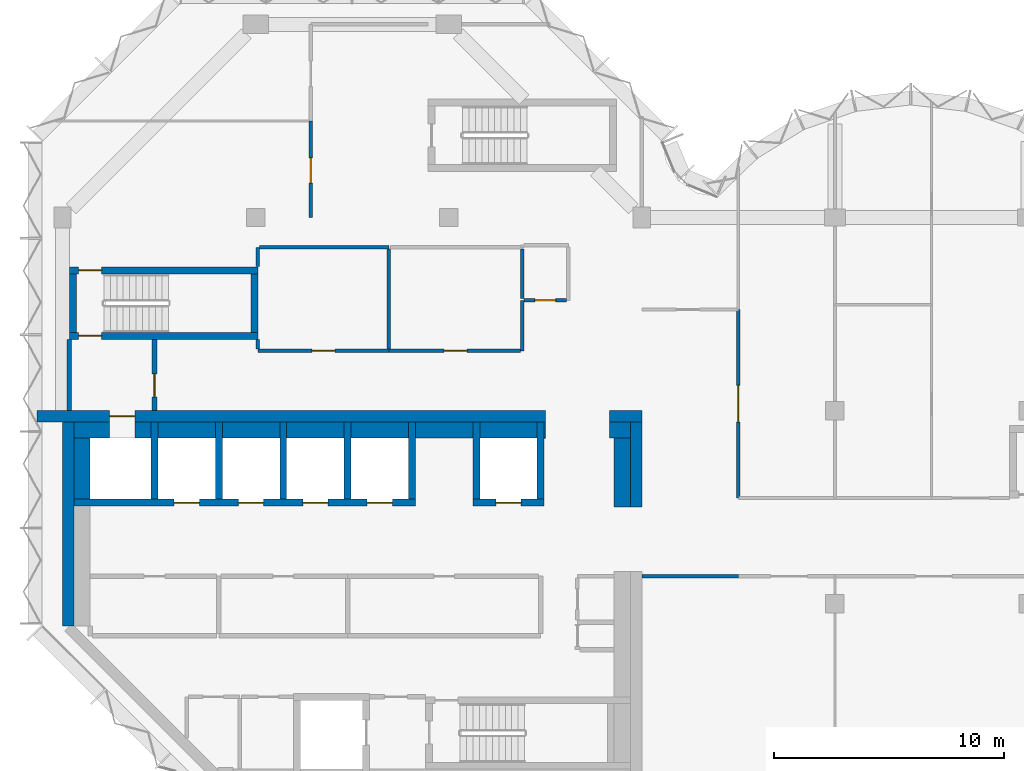
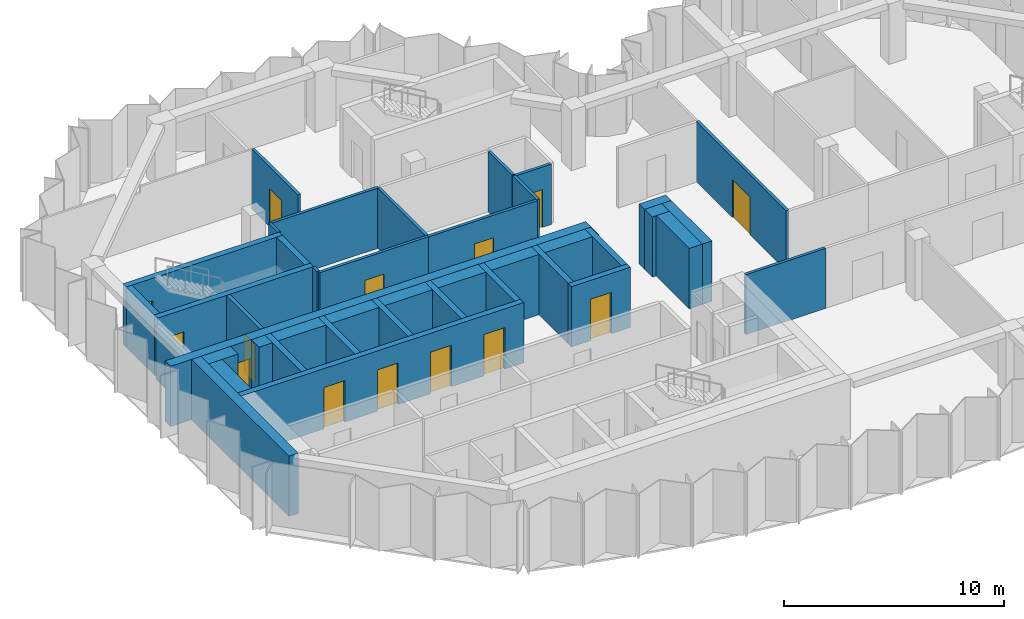
# One storey, part 5 of 10: 43 walls, 14 doors, 14 openings.
"""IFC4 building model written with IfcOpenShell, lengths in metres."""

from ifc_helpers import new_model, si_unit, direction, frame, frame_2d, origin, place, context, subcontext, project, spatial, rectangle, extrude, material, layer, layer_set, type_object, element, fill, save


model = new_model("IFC4")

# Units and contexts
model_context = context("Model", 3, precision=1e-05, world=origin(), true_north=direction((0.0, 1.0)))
body_context = subcontext(model_context, "Body", "Model", "MODEL_VIEW")
ifc_project = project(units=[si_unit("LENGTHUNIT", "METRE"), si_unit("AREAUNIT", "SQUARE_METRE"), si_unit("VOLUMEUNIT", "CUBIC_METRE"), si_unit("PLANEANGLEUNIT", "RADIAN"), si_unit("MASSUNIT", "GRAM", prefix="KILO")], contexts=[model_context])

# Site, building, storey
site_placement = place(None, origin())
site = spatial("IfcSite", under=ifc_project, at=site_placement, CompositionType="ELEMENT")
building_placement = place(site_placement, origin())
building = spatial("IfcBuilding", under=site, at=building_placement, Name="Brevane Broadcast Tower", CompositionType="ELEMENT")
storey_placement = place(building_placement, frame((0.0, 0.0, 237.300048828125)))
storey = spatial("IfcBuildingStorey", under=building, at=storey_placement, Name="L60", CompositionType="ELEMENT", Elevation=237.300048828125)

# Walls
ifc_material_1 = material(Name="Concrete C32/40", Category="concrete")
ifc_layer_1 = layer(ifc_material_1, 0.699951171875)
ifc_layer_set_1 = layer_set([ifc_layer_1], Name="Core chase wall 700 mm")
wall_type_1 = type_object("IfcWallType", Name="Core chase wall 700 mm", PredefinedType="PARTITIONING", material=ifc_layer_set_1)
wall_1_placement = place(storey_placement, frame((24.35009765625, 12.60009765625, 0.0), z_axis=(0.0, 0.0, 1.0), x_axis=(0.0, 1.0, 0.0)))
element("IfcWall", 1, at=wall_1_placement, inside=storey, type_object=wall_type_1, Name="L60 chase wall LE2", PredefinedType="PARTITIONING", context=body_context, shape_type="SweptSolid", body=[
    extrude(rectangle(XDim=3.0, YDim=0.699951171875, at=frame_2d((1.5, 0.0))), origin(), (0.0, 0.0, 1.0), 3.349853515625),
])
wall_2_placement = place(storey_placement, frame((0.5, 15.949951171875, 0.0), z_axis=(0.0, 0.0, 1.0), x_axis=(1.0, 0.0, 0.0)))
element("IfcWall", 2, at=wall_2_placement, inside=storey, type_object=wall_type_1, Name="L60 chase wall LN0", PredefinedType="PARTITIONING", context=body_context, shape_type="SweptSolid", body=[
    extrude(rectangle(XDim=1.550048828125, YDim=0.699951171875, at=frame_2d((0.77490234375, 0.0))), origin(), (0.0, 0.0, 1.0), 3.349853515625),
])
wall_3_placement = place(storey_placement, frame((23.800048828125, 15.949951171875, 0.0), z_axis=(0.0, 0.0, 1.0), x_axis=(1.0, 0.0, 0.0)))
element("IfcWall", 3, at=wall_3_placement, inside=storey, type_object=wall_type_1, Name="L60 chase wall LN2", PredefinedType="PARTITIONING", context=body_context, shape_type="SweptSolid", body=[
    extrude(rectangle(XDim=0.89990234375, YDim=0.699951171875, at=frame_2d((0.449951171875, 0.0))), origin(), (0.0, 0.0, 1.0), 3.349853515625),
])
wall_4_placement = place(storey_placement, frame((0.85009765625, 12.949951171875, 0.0), z_axis=(0.0, 0.0, 1.0), x_axis=(0.0, 1.0, 0.0)))
element("IfcWall", 4, at=wall_4_placement, inside=storey, type_object=wall_type_1, Name="L60 chase wall LW-2", PredefinedType="PARTITIONING", context=body_context, shape_type="SweptSolid", body=[
    extrude(rectangle(XDim=2.650146484375, YDim=0.699951171875, at=frame_2d((1.3251953125, 0.0))), origin(), (0.0, 0.0, 1.0), 3.349853515625),
])
wall_5_placement = place(storey_placement, frame((3.14990234375, 15.949951171875, 0.0), z_axis=(0.0, 0.0, 1.0), x_axis=(1.0, 0.0, 0.0)))
element("IfcWall", 5, at=wall_5_placement, inside=storey, type_object=wall_type_1, Name="L60 chase wall LN1-1", PredefinedType="PARTITIONING", context=body_context, shape_type="SweptSolid", body=[
    extrude(rectangle(XDim=0.7001953125, YDim=0.699951171875, at=frame_2d((0.35009765625, 0.0))), origin(), (0.0, 0.0, 1.0), 3.349853515625),
])
for number, where, z_axis, x_axis, name in (
    (6, (4.14990234375, 15.949951171875, 0.0), (0.0, 0.0, 1.0), (1.0, 0.0, 0.0), "L60 chase wall LN1-2-1"),
    (7, (6.949951171875, 15.949951171875, 0.0), (0.0, 0.0, 1.0), (1.0, 0.0, 0.0), "L60 chase wall LN1-2-2-1"),
    (8, (9.75, 15.949951171875, 0.0), (0.0, 0.0, 1.0), (1.0, 0.0, 0.0), "L60 chase wall LN1-2-2-2-1"),
    (9, (12.550048828125, 15.949951171875, 0.0), (0.0, 0.0, 1.0), (1.0, 0.0, 0.0), "L60 chase wall LN1-2-2-2-2-1"),
    (10, (15.35009765625, 15.949951171875, 0.0), (0.0, 0.0, 1.0), (1.0, 0.0, 0.0), "L60 chase wall LN1-2-2-2-2-2-1"),
    (11, (18.14990234375, 15.949951171875, 0.0), (0.0, 0.0, 1.0), (1.0, 0.0, 0.0), "L60 chase wall LN1-2-2-2-2-2-2-1"),
):
    element("IfcWall", number, at=place(storey_placement, frame(where, z_axis=z_axis, x_axis=x_axis)), inside=storey, type_object=wall_type_1, Name=name, PredefinedType="PARTITIONING", context=body_context, shape_type="SweptSolid", body=[
        extrude(rectangle(XDim=2.5, YDim=0.699951171875, at=frame_2d((1.25, 0.0))), origin(), (0.0, 0.0, 1.0), 3.349853515625),
    ])
wall_6_placement = place(storey_placement, frame((20.949951171875, 15.949951171875, 0.0), z_axis=(0.0, 0.0, 1.0), x_axis=(1.0, 0.0, 0.0)))
element("IfcWall", 12, at=wall_6_placement, inside=storey, type_object=wall_type_1, Name="L60 chase wall LN1-2-2-2-2-2-2-2", PredefinedType="PARTITIONING", context=body_context, shape_type="SweptSolid", body=[
    extrude(rectangle(XDim=0.050048828125, YDim=0.699951171875, at=frame_2d((0.02490234375, 0.0))), origin(), (0.0, 0.0, 1.0), 3.349853515625),
])

# Wall, opening, door
ifc_material_2 = material(Name="Gypsum board on steel studs", Category="steel")
ifc_layer_2 = layer(ifc_material_2, 0.14990234375)
ifc_layer_set_2 = layer_set([ifc_layer_2], Name="Core fire partition 150 mm")
wall_type_2 = type_object("IfcWallType", Name="Core fire partition 150 mm", PredefinedType="PARTITIONING", material=ifc_layer_set_2)
wall_7_placement = place(storey_placement, frame((14.199951171875, 19.39990234375, 0.0), z_axis=(0.0, 0.0, 1.0), x_axis=(-1.0, 0.0, 0.0)))
wall_7 = element("IfcWall", 13, at=wall_7_placement, inside=storey, type_object=wall_type_2, Name="L60 partition wall P22", PredefinedType="PARTITIONING", context=body_context, shape_type="SweptSolid", body=[
    extrude(rectangle(XDim=5.699951171875, YDim=0.14990234375, at=frame_2d((2.85009765625, 0.0))), origin(), (0.0, 0.0, 1.0), 3.349853515625),
])
opening_1_placement = place(wall_7_placement, frame((2.35009765625, 0.0, 0.0)))
opening_1 = element("IfcOpeningElement", 14, at=opening_1_placement, cuts=wall_7, Name="Opening L60-K24", PredefinedType="OPENING", context=body_context, shape_type="SweptSolid", body=[
    extrude(rectangle(XDim=1.0, YDim=2.10009765625, at=frame_2d((0.5, 1.050048828125))), frame((0.0, 0.0849609375, 0.0), z_axis=(0.0, -1.0, 0.0), x_axis=(1.0, 0.0, 0.0)), (0.0, 0.0, 1.0), 0.169921875),
])
ifc_material_3 = material(Name="Steel", Category="steel")
door_type_1 = type_object("IfcDoorType", Name="Service room door 1000 x 2100", OperationType="SINGLE_SWING_LEFT", PredefinedType="DOOR", material=ifc_material_3)
door_1_placement = place(opening_1_placement, origin())
door_1 = element("IfcDoor", 15, at=door_1_placement, inside=storey, type_object=door_type_1, Name="Door L60-K24", OperationType="SINGLE_SWING_LEFT", OverallHeight=2.10009765625, OverallWidth=1.0, PredefinedType="DOOR", context=body_context, shape_type="SweptSolid", body=[
    extrude(rectangle(XDim=1.0, YDim=2.10009765625, at=frame_2d((0.5, 1.050048828125))), frame((0.0, 0.02490234375, 0.0), z_axis=(0.0, -1.0, 0.0), x_axis=(1.0, 0.0, 0.0)), (0.0, 0.0, 1.0), 0.050048828125),
])
fill(opening_1, door_1)

# Walls
wall_8_placement = place(storey_placement, frame((8.5, 19.47509765625, 0.0), z_axis=(0.0, 0.0, 1.0), x_axis=(0.0, 1.0, 0.0)))
element("IfcWall", 16, at=wall_8_placement, inside=storey, type_object=wall_type_2, Name="L60 partition wall P23", PredefinedType="PARTITIONING", context=body_context, shape_type="SweptSolid", body=[
    extrude(rectangle(XDim=0.412841796875, YDim=0.14990234375, at=frame_2d((0.20654296875, 0.0))), origin(), (0.0, 0.0, 1.0), 3.349853515625),
])
wall_9_placement = place(storey_placement, frame((8.5, 23.06201171875, 0.0), z_axis=(0.0, 0.0, 1.0), x_axis=(0.0, 1.0, 0.0)))
element("IfcWall", 17, at=wall_9_placement, inside=storey, type_object=wall_type_2, Name="L60 partition wall P24", PredefinedType="PARTITIONING", context=body_context, shape_type="SweptSolid", body=[
    extrude(rectangle(XDim=0.837890625, YDim=0.14990234375, at=frame_2d((0.4189453125, 0.0))), origin(), (0.0, 0.0, 1.0), 3.349853515625),
])
wall_10_placement = place(storey_placement, frame((8.574951171875, 23.89990234375, 0.0), z_axis=(0.0, 0.0, 1.0), x_axis=(1.0, 0.0, 0.0)))
element("IfcWall", 18, at=wall_10_placement, inside=storey, type_object=wall_type_2, Name="L60 partition wall P25", PredefinedType="PARTITIONING", context=body_context, shape_type="SweptSolid", body=[
    extrude(rectangle(XDim=5.625, YDim=0.14990234375, at=frame_2d((2.8125, 0.0))), origin(), (0.0, 0.0, 1.0), 3.349853515625),
])
wall_11_placement = place(storey_placement, frame((20.0, 21.60009765625, 0.0), z_axis=(0.0, 0.0, 1.0), x_axis=(0.0, -1.0, 0.0)))
element("IfcWall", 19, at=wall_11_placement, inside=storey, type_object=wall_type_2, Name="L60 partition wall P26", PredefinedType="PARTITIONING", context=body_context, shape_type="SweptSolid", body=[
    extrude(rectangle(XDim=2.2001953125, YDim=0.14990234375, at=frame_2d((1.10009765625, 0.0))), origin(), (0.0, 0.0, 1.0), 3.349853515625),
])

# Wall, opening, door
wall_12_placement = place(storey_placement, frame((19.925048828125, 19.39990234375, 0.0), z_axis=(0.0, 0.0, 1.0), x_axis=(-1.0, 0.0, 0.0)))
wall_12 = element("IfcWall", 20, at=wall_12_placement, inside=storey, type_object=wall_type_2, Name="L60 partition wall P27", PredefinedType="PARTITIONING", context=body_context, shape_type="SweptSolid", body=[
    extrude(rectangle(XDim=5.72509765625, YDim=0.14990234375, at=frame_2d((2.862548828125, 0.0))), origin(), (0.0, 0.0, 1.0), 3.349853515625),
])
opening_2_placement = place(wall_12_placement, frame((2.324951171875, 0.0, 0.0)))
opening_2 = element("IfcOpeningElement", 21, at=opening_2_placement, cuts=wall_12, Name="Opening L60-K25", PredefinedType="OPENING", context=body_context, shape_type="SweptSolid", body=[
    extrude(rectangle(XDim=1.0, YDim=2.10009765625, at=frame_2d((0.5, 1.050048828125))), frame((0.0, 0.0849609375, 0.0), z_axis=(0.0, -1.0, 0.0), x_axis=(1.0, 0.0, 0.0)), (0.0, 0.0, 1.0), 0.169921875),
])
door_2_placement = place(opening_2_placement, origin())
door_2 = element("IfcDoor", 22, at=door_2_placement, inside=storey, type_object=door_type_1, Name="Door L60-K25", OperationType="SINGLE_SWING_RIGHT", OverallHeight=2.10009765625, OverallWidth=1.0, PredefinedType="DOOR", context=body_context, shape_type="SweptSolid", body=[
    extrude(rectangle(XDim=1.0, YDim=2.10009765625, at=frame_2d((0.5, 1.050048828125))), frame((0.0, 0.02490234375, 0.0), z_axis=(0.0, -1.0, 0.0), x_axis=(1.0, 0.0, 0.0)), (0.0, 0.0, 1.0), 0.050048828125),
])
fill(opening_2, door_2)

# Wall
wall_13_placement = place(storey_placement, frame((14.199951171875, 23.824951171875, 0.0), z_axis=(0.0, 0.0, 1.0), x_axis=(0.0, -1.0, 0.0)))
element("IfcWall", 23, at=wall_13_placement, inside=storey, type_object=wall_type_2, Name="L60 partition wall P28", PredefinedType="PARTITIONING", context=body_context, shape_type="SweptSolid", body=[
    extrude(rectangle(XDim=4.349853515625, YDim=0.14990234375, at=frame_2d((2.1748046875, 0.0))), origin(), (0.0, 0.0, 1.0), 3.349853515625),
])

# Wall, opening, door
wall_14_placement = place(storey_placement, frame((21.925048828125, 21.60009765625, 0.0), z_axis=(0.0, 0.0, 1.0), x_axis=(-1.0, 0.0, 0.0)))
wall_14 = element("IfcWall", 24, at=wall_14_placement, inside=storey, type_object=wall_type_2, Name="L60 partition wall P33", PredefinedType="PARTITIONING", context=body_context, shape_type="SweptSolid", body=[
    extrude(rectangle(XDim=1.85009765625, YDim=0.14990234375, at=frame_2d((0.925048828125, 0.0))), origin(), (0.0, 0.0, 1.0), 3.349853515625),
])
opening_3_placement = place(wall_14_placement, frame((0.47509765625, 0.0, 0.0)))
opening_3 = element("IfcOpeningElement", 25, at=opening_3_placement, cuts=wall_14, Name="Opening L60-K23", PredefinedType="OPENING", context=body_context, shape_type="SweptSolid", body=[
    extrude(rectangle(XDim=0.89990234375, YDim=2.10009765625, at=frame_2d((0.449951171875, 1.050048828125))), frame((0.0, 0.0849609375, 0.0), z_axis=(0.0, -1.0, 0.0), x_axis=(1.0, 0.0, 0.0)), (0.0, 0.0, 1.0), 0.169921875),
])
ifc_material_4 = material(Name="Timber", Category="wood")
door_type_2 = type_object("IfcDoorType", Name="Toilet door 900 x 2100", OperationType="SINGLE_SWING_LEFT", PredefinedType="DOOR", material=ifc_material_4)
door_3_placement = place(opening_3_placement, origin())
door_3 = element("IfcDoor", 26, at=door_3_placement, inside=storey, type_object=door_type_2, Name="Door L60-K23", OperationType="SINGLE_SWING_RIGHT", OverallHeight=2.10009765625, OverallWidth=0.89990234375, PredefinedType="DOOR", context=body_context, shape_type="SweptSolid", body=[
    extrude(rectangle(XDim=0.89990234375, YDim=2.10009765625, at=frame_2d((0.449951171875, 1.050048828125))), frame((0.0, 0.02490234375, 0.0), z_axis=(0.0, -1.0, 0.0), x_axis=(1.0, 0.0, 0.0)), (0.0, 0.0, 1.0), 0.050048828125),
])
fill(opening_3, door_3)

# Walls
wall_15_placement = place(storey_placement, frame((20.0, 21.675048828125, 0.0), z_axis=(0.0, 0.0, 1.0), x_axis=(0.0, 1.0, 0.0)))
element("IfcWall", 27, at=wall_15_placement, inside=storey, type_object=wall_type_2, Name="L60 partition wall P34", PredefinedType="PARTITIONING", context=body_context, shape_type="SweptSolid", body=[
    extrude(rectangle(XDim=2.14990234375, YDim=0.14990234375, at=frame_2d((1.074951171875, 0.0))), origin(), (0.0, 0.0, 1.0), 3.349853515625),
])
ifc_layer_3 = layer(ifc_material_2, 0.199951171875)
ifc_layer_set_3 = layer_set([ifc_layer_3], Name="Core fire partition 200 mm")
wall_type_3 = type_object("IfcWallType", Name="Core fire partition 200 mm", PredefinedType="PARTITIONING", material=ifc_layer_set_3)
wall_16_placement = place(storey_placement, frame((0.300048828125, 16.81201171875, 0.0), z_axis=(0.0, 0.0, 1.0), x_axis=(0.0, 1.0, 0.0)))
element("IfcWall", 28, at=wall_16_placement, inside=storey, type_object=wall_type_3, Name="L60 partition wall P01", PredefinedType="PARTITIONING", context=body_context, shape_type="SweptSolid", body=[
    extrude(rectangle(XDim=3.075927734375, YDim=0.199951171875, at=frame_2d((1.5380859375, 0.0))), origin(), (0.0, 0.0, 1.0), 2.97998046875),
])

# Wall, opening, door
wall_17_placement = place(storey_placement, frame((4.0, 19.887939453125, 0.0), z_axis=(0.0, 0.0, 1.0), x_axis=(0.0, -1.0, 0.0)))
wall_17 = element("IfcWall", 29, at=wall_17_placement, inside=storey, type_object=wall_type_3, Name="L60 partition wall P02", PredefinedType="PARTITIONING", context=body_context, shape_type="SweptSolid", body=[
    extrude(rectangle(XDim=3.075927734375, YDim=0.199951171875, at=frame_2d((1.5380859375, 0.0))), origin(), (0.0, 0.0, 1.0), 3.349853515625),
])
opening_4_placement = place(wall_17_placement, frame((1.488037109375, 0.0, 0.0)))
opening_4 = element("IfcOpeningElement", 30, at=opening_4_placement, cuts=wall_17, Name="Opening L60-K22", PredefinedType="OPENING", context=body_context, shape_type="SweptSolid", body=[
    extrude(rectangle(XDim=1.0, YDim=2.10009765625, at=frame_2d((0.5, 1.050048828125))), frame((0.0, 0.10986328125, 0.0), z_axis=(0.0, -1.0, 0.0), x_axis=(1.0, 0.0, 0.0)), (0.0, 0.0, 1.0), 0.219970703125),
])
door_type_3 = type_object("IfcDoorType", Name="Stair door 1000 x 2100", OperationType="SINGLE_SWING_LEFT", PredefinedType="DOOR", material=ifc_material_3)
door_4_placement = place(opening_4_placement, origin())
door_4 = element("IfcDoor", 31, at=door_4_placement, inside=storey, type_object=door_type_3, Name="Door L60-K22", OperationType="SINGLE_SWING_LEFT", OverallHeight=2.10009765625, OverallWidth=1.0, PredefinedType="DOOR", context=body_context, shape_type="SweptSolid", body=[
    extrude(rectangle(XDim=1.0, YDim=2.10009765625, at=frame_2d((0.5, 1.050048828125))), frame((0.0, 0.02490234375, 0.0), z_axis=(0.0, -1.0, 0.0), x_axis=(1.0, 0.0, 0.0)), (0.0, 0.0, 1.0), 0.050048828125),
])
fill(opening_4, door_4)

# Wall, openings, doors
ifc_material_5 = material(Name="Concrete C50/60", Category="concrete")
ifc_layer_4 = layer(ifc_material_5, 0.300048828125)
ifc_layer_set_4 = layer_set([ifc_layer_4], Name="Core wall 300 mm C50/60")
wall_type_4 = type_object("IfcWallType", Name="Core wall 300 mm C50/60", PredefinedType="SHEAR", material=ifc_layer_set_4)
wall_18_placement = place(storey_placement, frame((0.5, 12.800048828125, 0.0), z_axis=(0.0, 0.0, 1.0), x_axis=(1.0, 0.0, 0.0)))
wall_18 = element("IfcWall", 32, at=wall_18_placement, inside=storey, type_object=wall_type_4, Name="L60 shaft wall SH-N012-front", PredefinedType="SHEAR", context=body_context, shape_type="SweptSolid", body=[
    extrude(rectangle(XDim=14.85009765625, YDim=0.300048828125, at=frame_2d((7.425048828125, 0.0))), origin(), (0.0, 0.0, 1.0), 3.349853515625),
])
opening_5_placement = place(wall_18_placement, frame((4.35009765625, 0.0, 0.0)))
opening_5 = element("IfcOpeningElement", 33, at=opening_5_placement, cuts=wall_18, Name="Opening LD", PredefinedType="OPENING", context=body_context, shape_type="SweptSolid", body=[
    extrude(rectangle(XDim=1.10009765625, YDim=2.300048828125, at=frame_2d((0.550048828125, 1.14990234375))), frame((0.0, 0.159912109375, 0.0), z_axis=(0.0, -1.0, 0.0), x_axis=(1.0, 0.0, 0.0)), (0.0, 0.0, 1.0), 0.320068359375),
])
opening_6_placement = place(wall_18_placement, frame((7.14990234375, 0.0, 0.0)))
opening_6 = element("IfcOpeningElement", 34, at=opening_6_placement, cuts=wall_18, Name="Opening LD", PredefinedType="OPENING", context=body_context, shape_type="SweptSolid", body=[
    extrude(rectangle(XDim=1.10009765625, YDim=2.300048828125, at=frame_2d((0.550048828125, 1.14990234375))), frame((0.0, 0.159912109375, 0.0), z_axis=(0.0, -1.0, 0.0), x_axis=(1.0, 0.0, 0.0)), (0.0, 0.0, 1.0), 0.320068359375),
])
opening_7_placement = place(wall_18_placement, frame((9.949951171875, 0.0, 0.0)))
opening_7 = element("IfcOpeningElement", 35, at=opening_7_placement, cuts=wall_18, Name="Opening LD", PredefinedType="OPENING", context=body_context, shape_type="SweptSolid", body=[
    extrude(rectangle(XDim=1.10009765625, YDim=2.300048828125, at=frame_2d((0.550048828125, 1.14990234375))), frame((0.0, 0.159912109375, 0.0), z_axis=(0.0, -1.0, 0.0), x_axis=(1.0, 0.0, 0.0)), (0.0, 0.0, 1.0), 0.320068359375),
])
opening_8_placement = place(wall_18_placement, frame((12.75, 0.0, 0.0)))
opening_8 = element("IfcOpeningElement", 36, at=opening_8_placement, cuts=wall_18, Name="Opening LD", PredefinedType="OPENING", context=body_context, shape_type="SweptSolid", body=[
    extrude(rectangle(XDim=1.10009765625, YDim=2.300048828125, at=frame_2d((0.550048828125, 1.14990234375))), frame((0.0, 0.159912109375, 0.0), z_axis=(0.0, -1.0, 0.0), x_axis=(1.0, 0.0, 0.0)), (0.0, 0.0, 1.0), 0.320068359375),
])
ifc_material_6 = material(Name="Stainless steel", Category="steel")
door_type_4 = type_object("IfcDoorType", Name="Lift landing door", OperationType="SLIDING_TO_LEFT", PredefinedType="DOOR", material=ifc_material_6)
door_5_placement = place(opening_5_placement, origin())
door_5 = element("IfcDoor", 37, at=door_5_placement, inside=storey, type_object=door_type_4, Name="Landing door HR1 L60", OperationType="SLIDING_TO_LEFT", OverallHeight=2.300048828125, OverallWidth=1.10009765625, PredefinedType="DOOR", context=body_context, shape_type="SweptSolid", body=[
    extrude(rectangle(XDim=1.10009765625, YDim=2.300048828125, at=frame_2d((0.550048828125, 1.14990234375))), frame((0.0, 0.02490234375, 0.0), z_axis=(0.0, -1.0, 0.0), x_axis=(1.0, 0.0, 0.0)), (0.0, 0.0, 1.0), 0.050048828125),
])
fill(opening_5, door_5)
door_6_placement = place(opening_6_placement, origin())
door_6 = element("IfcDoor", 38, at=door_6_placement, inside=storey, type_object=door_type_4, Name="Landing door HR2 L60", OperationType="SLIDING_TO_LEFT", OverallHeight=2.300048828125, OverallWidth=1.10009765625, PredefinedType="DOOR", context=body_context, shape_type="SweptSolid", body=[
    extrude(rectangle(XDim=1.10009765625, YDim=2.300048828125, at=frame_2d((0.550048828125, 1.14990234375))), frame((0.0, 0.02490234375, 0.0), z_axis=(0.0, -1.0, 0.0), x_axis=(1.0, 0.0, 0.0)), (0.0, 0.0, 1.0), 0.050048828125),
])
fill(opening_6, door_6)
door_7_placement = place(opening_7_placement, origin())
door_7 = element("IfcDoor", 39, at=door_7_placement, inside=storey, type_object=door_type_4, Name="Landing door HR3 L60", OperationType="SLIDING_TO_LEFT", OverallHeight=2.300048828125, OverallWidth=1.10009765625, PredefinedType="DOOR", context=body_context, shape_type="SweptSolid", body=[
    extrude(rectangle(XDim=1.10009765625, YDim=2.300048828125, at=frame_2d((0.550048828125, 1.14990234375))), frame((0.0, 0.02490234375, 0.0), z_axis=(0.0, -1.0, 0.0), x_axis=(1.0, 0.0, 0.0)), (0.0, 0.0, 1.0), 0.050048828125),
])
fill(opening_7, door_7)
door_8_placement = place(opening_8_placement, origin())
door_8 = element("IfcDoor", 40, at=door_8_placement, inside=storey, type_object=door_type_4, Name="Landing door HR4 L60", OperationType="SLIDING_TO_LEFT", OverallHeight=2.300048828125, OverallWidth=1.10009765625, PredefinedType="DOOR", context=body_context, shape_type="SweptSolid", body=[
    extrude(rectangle(XDim=1.10009765625, YDim=2.300048828125, at=frame_2d((0.550048828125, 1.14990234375))), frame((0.0, 0.02490234375, 0.0), z_axis=(0.0, -1.0, 0.0), x_axis=(1.0, 0.0, 0.0)), (0.0, 0.0, 1.0), 0.050048828125),
])
fill(opening_8, door_8)

# Walls
for number, where, z_axis, x_axis, name in (
    (41, (4.0, 12.949951171875, 0.0), (0.0, 0.0, 1.0), (0.0, 1.0, 0.0), "L60 shaft wall SH-N-P040"),
    (42, (6.800048828125, 12.949951171875, 0.0), (0.0, 0.0, 1.0), (0.0, 1.0, 0.0), "L60 shaft wall SH-N-P068"),
    (43, (9.60009765625, 12.949951171875, 0.0), (0.0, 0.0, 1.0), (0.0, 1.0, 0.0), "L60 shaft wall SH-N-P096"),
    (44, (12.39990234375, 12.949951171875, 0.0), (0.0, 0.0, 1.0), (0.0, 1.0, 0.0), "L60 shaft wall SH-N-P124"),
    (45, (15.199951171875, 12.949951171875, 0.0), (0.0, 0.0, 1.0), (0.0, 1.0, 0.0), "L60 shaft wall SH-N-P152"),
):
    element("IfcWall", number, at=place(storey_placement, frame(where, z_axis=z_axis, x_axis=x_axis)), inside=storey, type_object=wall_type_4, Name=name, PredefinedType="SHEAR", context=body_context, shape_type="SweptSolid", body=[
        extrude(rectangle(XDim=3.35009765625, YDim=0.300048828125, at=frame_2d((1.675048828125, 0.0))), origin(), (0.0, 0.0, 1.0), 3.349853515625),
    ])

# Wall, opening, door
wall_19_placement = place(storey_placement, frame((17.85009765625, 12.800048828125, 0.0), z_axis=(0.0, 0.0, 1.0), x_axis=(1.0, 0.0, 0.0)))
wall_19 = element("IfcWall", 46, at=wall_19_placement, inside=storey, type_object=wall_type_4, Name="L60 shaft wall SH-N180-front", PredefinedType="SHEAR", context=body_context, shape_type="SweptSolid", body=[
    extrude(rectangle(XDim=3.099853515625, YDim=0.300048828125, at=frame_2d((1.5498046875, 0.0))), origin(), (0.0, 0.0, 1.0), 3.349853515625),
])
opening_9_placement = place(wall_19_placement, frame((1.0, 0.0, 0.0)))
opening_9 = element("IfcOpeningElement", 47, at=opening_9_placement, cuts=wall_19, Name="Opening LD", PredefinedType="OPENING", context=body_context, shape_type="SweptSolid", body=[
    extrude(rectangle(XDim=1.10009765625, YDim=2.300048828125, at=frame_2d((0.550048828125, 1.14990234375))), frame((0.0, 0.159912109375, 0.0), z_axis=(0.0, -1.0, 0.0), x_axis=(1.0, 0.0, 0.0)), (0.0, 0.0, 1.0), 0.320068359375),
])
door_9_placement = place(opening_9_placement, origin())
door_9 = element("IfcDoor", 48, at=door_9_placement, inside=storey, type_object=door_type_4, Name="Landing door SL1 L60", OperationType="SLIDING_TO_LEFT", OverallHeight=2.300048828125, OverallWidth=1.10009765625, PredefinedType="DOOR", context=body_context, shape_type="SweptSolid", body=[
    extrude(rectangle(XDim=1.10009765625, YDim=2.300048828125, at=frame_2d((0.550048828125, 1.14990234375))), frame((0.0, 0.02490234375, 0.0), z_axis=(0.0, -1.0, 0.0), x_axis=(1.0, 0.0, 0.0)), (0.0, 0.0, 1.0), 0.050048828125),
])
fill(opening_9, door_9)

# Walls
for number, where, z_axis, x_axis, name in (
    (49, (18.0, 12.949951171875, 0.0), (0.0, 0.0, 1.0), (0.0, 1.0, 0.0), "L60 shaft wall SH-N-P180"),
    (50, (20.800048828125, 12.949951171875, 0.0), (0.0, 0.0, 1.0), (0.0, 1.0, 0.0), "L60 shaft wall SH-N-P208"),
):
    element("IfcWall", number, at=place(storey_placement, frame(where, z_axis=z_axis, x_axis=x_axis)), inside=storey, type_object=wall_type_4, Name=name, PredefinedType="SHEAR", context=body_context, shape_type="SweptSolid", body=[
        extrude(rectangle(XDim=3.35009765625, YDim=0.300048828125, at=frame_2d((1.675048828125, 0.0))), origin(), (0.0, 0.0, 1.0), 3.349853515625),
    ])

# Wall, opening, door
wall_20_placement = place(storey_placement, frame((8.5, 20.050048828125, 0.0), z_axis=(0.0, 0.0, 1.0), x_axis=(-1.0, 0.0, 0.0)))
wall_20 = element("IfcWall", 51, at=wall_20_placement, inside=storey, type_object=wall_type_4, Name="L60 stair wall ST-1-S", PredefinedType="SHEAR", context=body_context, shape_type="SweptSolid", body=[
    extrude(rectangle(XDim=8.199951171875, YDim=0.300048828125, at=frame_2d((4.10009765625, 0.0))), origin(), (0.0, 0.0, 1.0), 3.349853515625),
])
opening_10_placement = place(wall_20_placement, frame((6.800048828125, 0.0, 0.0)))
opening_10 = element("IfcOpeningElement", 52, at=opening_10_placement, cuts=wall_20, Name="Opening L60-K08", PredefinedType="OPENING", context=body_context, shape_type="SweptSolid", body=[
    extrude(rectangle(XDim=1.0, YDim=2.10009765625, at=frame_2d((0.5, 1.050048828125))), frame((0.0, 0.159912109375, 0.0), z_axis=(0.0, -1.0, 0.0), x_axis=(1.0, 0.0, 0.0)), (0.0, 0.0, 1.0), 0.320068359375),
])
door_10_placement = place(opening_10_placement, origin())
door_10 = element("IfcDoor", 53, at=door_10_placement, inside=storey, type_object=door_type_3, Name="Door L60-K08", OperationType="SINGLE_SWING_LEFT", OverallHeight=2.10009765625, OverallWidth=1.0, PredefinedType="DOOR", context=body_context, shape_type="SweptSolid", body=[
    extrude(rectangle(XDim=1.0, YDim=2.10009765625, at=frame_2d((0.5, 1.050048828125))), frame((0.0, 0.02490234375, 0.0), z_axis=(0.0, -1.0, 0.0), x_axis=(1.0, 0.0, 0.0)), (0.0, 0.0, 1.0), 0.050048828125),
])
fill(opening_10, door_10)

wall_21_placement = place(storey_placement, frame((0.300048828125, 22.89990234375, 0.0), z_axis=(0.0, 0.0, 1.0), x_axis=(1.0, 0.0, 0.0)))
wall_21 = element("IfcWall", 54, at=wall_21_placement, inside=storey, type_object=wall_type_4, Name="L60 stair wall ST-1-N", PredefinedType="SHEAR", context=body_context, shape_type="SweptSolid", body=[
    extrude(rectangle(XDim=8.199951171875, YDim=0.300048828125, at=frame_2d((4.10009765625, 0.0))), origin(), (0.0, 0.0, 1.0), 3.349853515625),
])
opening_11_placement = place(wall_21_placement, frame((0.39990234375, 0.0, 0.0)))
opening_11 = element("IfcOpeningElement", 55, at=opening_11_placement, cuts=wall_21, Name="Opening L60-K09", PredefinedType="OPENING", context=body_context, shape_type="SweptSolid", body=[
    extrude(rectangle(XDim=1.0, YDim=2.10009765625, at=frame_2d((0.5, 1.050048828125))), frame((0.0, 0.159912109375, 0.0), z_axis=(0.0, -1.0, 0.0), x_axis=(1.0, 0.0, 0.0)), (0.0, 0.0, 1.0), 0.320068359375),
])
door_11_placement = place(opening_11_placement, origin())
door_11 = element("IfcDoor", 56, at=door_11_placement, inside=storey, type_object=door_type_3, Name="Door L60-K09", OperationType="SINGLE_SWING_RIGHT", OverallHeight=2.10009765625, OverallWidth=1.0, PredefinedType="DOOR", context=body_context, shape_type="SweptSolid", body=[
    extrude(rectangle(XDim=1.0, YDim=2.10009765625, at=frame_2d((0.5, 1.050048828125))), frame((0.0, 0.02490234375, 0.0), z_axis=(0.0, -1.0, 0.0), x_axis=(1.0, 0.0, 0.0)), (0.0, 0.0, 1.0), 0.050048828125),
])
fill(opening_11, door_11)

# Walls
for number, where, z_axis, x_axis, name in (
    (57, (0.449951171875, 20.199951171875, 0.0), (0.0, 0.0, 1.0), (0.0, 1.0, 0.0), "L60 stair wall ST-1-W"),
    (58, (8.35009765625, 20.199951171875, 0.0), (0.0, 0.0, 1.0), (0.0, 1.0, 0.0), "L60 stair wall ST-1-E"),
):
    element("IfcWall", number, at=place(storey_placement, frame(where, z_axis=z_axis, x_axis=x_axis)), inside=storey, type_object=wall_type_4, Name=name, PredefinedType="SHEAR", context=body_context, shape_type="SweptSolid", body=[
        extrude(rectangle(XDim=2.550048828125, YDim=0.300048828125, at=frame_2d((1.27490234375, 0.0))), origin(), (0.0, 0.0, 1.0), 3.349853515625),
    ])

# Wall, opening, door
ifc_layer_5 = layer(ifc_material_5, 0.5)
ifc_layer_set_5 = layer_set([ifc_layer_5], Name="Core wall 500 mm C50/60")
wall_type_5 = type_object("IfcWallType", Name="Core wall 500 mm C50/60", PredefinedType="SHEAR", material=ifc_layer_set_5)
wall_22_placement = place(storey_placement, frame((-1.10009765625, 16.550048828125, 0.0), z_axis=(0.0, 0.0, 1.0), x_axis=(1.0, 0.0, 0.0)))
wall_22 = element("IfcWall", 59, at=wall_22_placement, inside=storey, type_object=wall_type_5, Name="L60 outer wall WN1", PredefinedType="SHEAR", context=body_context, shape_type="SweptSolid", body=[
    extrude(rectangle(XDim=22.10009765625, YDim=0.5, at=frame_2d((11.050048828125, 0.0))), origin(), (0.0, 0.0, 1.0), 3.349853515625),
])
opening_12_placement = place(wall_22_placement, frame((3.14990234375, 0.0, 0.0)))
opening_12 = element("IfcOpeningElement", 60, at=opening_12_placement, cuts=wall_22, Name="Opening LD", PredefinedType="OPENING", context=body_context, shape_type="SweptSolid", body=[
    extrude(rectangle(XDim=1.10009765625, YDim=2.300048828125, at=frame_2d((0.550048828125, 1.14990234375))), frame((0.0, 0.260009765625, 0.0), z_axis=(0.0, -1.0, 0.0), x_axis=(1.0, 0.0, 0.0)), (0.0, 0.0, 1.0), 0.52001953125),
])
door_12_placement = place(opening_12_placement, origin())
door_12 = element("IfcDoor", 61, at=door_12_placement, inside=storey, type_object=door_type_4, Name="Landing door FF1 L60", OperationType="SLIDING_TO_LEFT", OverallHeight=2.300048828125, OverallWidth=1.10009765625, PredefinedType="DOOR", context=body_context, shape_type="SweptSolid", body=[
    extrude(rectangle(XDim=1.10009765625, YDim=2.300048828125, at=frame_2d((0.550048828125, 1.14990234375))), frame((0.0, 0.02490234375, 0.0), z_axis=(0.0, -1.0, 0.0), x_axis=(1.0, 0.0, 0.0)), (0.0, 0.0, 1.0), 0.050048828125),
])
fill(opening_12, door_12)

# Walls
wall_23_placement = place(storey_placement, frame((23.800048828125, 16.550048828125, 0.0), z_axis=(0.0, 0.0, 1.0), x_axis=(1.0, 0.0, 0.0)))
element("IfcWall", 62, at=wall_23_placement, inside=storey, type_object=wall_type_5, Name="L60 outer wall WN2", PredefinedType="SHEAR", context=body_context, shape_type="SweptSolid", body=[
    extrude(rectangle(XDim=1.39990234375, YDim=0.5, at=frame_2d((0.699951171875, 0.0))), origin(), (0.0, 0.0, 1.0), 3.349853515625),
])
wall_24_placement = place(storey_placement, frame((0.25, 7.436279296875, 0.0), z_axis=(0.0, 0.0, 1.0), x_axis=(0.0, 1.0, 0.0)))
element("IfcWall", 63, at=wall_24_placement, inside=storey, type_object=wall_type_5, Name="L60 outer wall WW", PredefinedType="SHEAR", context=body_context, shape_type="SweptSolid", body=[
    extrude(rectangle(XDim=8.86376953125, YDim=0.5, at=frame_2d((4.431884765625, 0.0))), origin(), (0.0, 0.0, 1.0), 3.349853515625),
])
wall_25_placement = place(storey_placement, frame((24.949951171875, 12.60009765625, 0.0), z_axis=(0.0, 0.0, 1.0), x_axis=(0.0, 1.0, 0.0)))
element("IfcWall", 64, at=wall_25_placement, inside=storey, type_object=wall_type_5, Name="L60 outer wall WE2", PredefinedType="SHEAR", context=body_context, shape_type="SweptSolid", body=[
    extrude(rectangle(XDim=3.699951171875, YDim=0.5, at=frame_2d((1.85009765625, 0.0))), origin(), (0.0, 0.0, 1.0), 3.349853515625),
])
ifc_material_7 = material(Name="Gypsum board partition")
ifc_layer_6 = layer(ifc_material_7, 0.14990234375)
ifc_layer_set_6 = layer_set([ifc_layer_6], Name="PARTITION 150 EI 60")
wall_type_6 = type_object("IfcWallType", Name="PARTITION 150 EI 60", PredefinedType="PARTITIONING", material=ifc_layer_set_6)
wall_26_placement = place(storey_placement, frame((29.39990234375, 9.60009765625, 0.0), z_axis=(0.0, 0.0, 1.0), x_axis=(-1.0, 0.0, 0.0)))
element("IfcWall", 65, at=wall_26_placement, inside=storey, type_object=wall_type_6, Name="Partition G18-002", PredefinedType="PARTITIONING", context=body_context, shape_type="SweptSolid", body=[
    extrude(rectangle(XDim=4.199951171875, YDim=0.14990234375, at=frame_2d((2.10009765625, 0.0))), origin(), (0.0, 0.0, 1.0), 3.329833984375),
])

# Wall, opening, door
wall_27_placement = place(storey_placement, frame((29.39990234375, 21.199951171875, 0.0), z_axis=(0.0, 0.0, 1.0), x_axis=(0.0, -1.0, 0.0)))
wall_27 = element("IfcWall", 66, at=wall_27_placement, inside=storey, type_object=wall_type_6, Name="Partition G18-003", PredefinedType="PARTITIONING", context=body_context, shape_type="SweptSolid", body=[
    extrude(rectangle(XDim=8.199951171875, YDim=0.14990234375, at=frame_2d((4.10009765625, 0.0))), origin(), (0.0, 0.0, 1.0), 3.329833984375),
])
opening_13_placement = place(wall_27_placement, frame((3.300048828125, 0.0, 0.0)))
opening_13 = element("IfcOpeningElement", 67, at=opening_13_placement, cuts=wall_27, Name="Opening D29-005", PredefinedType="OPENING", context=body_context, shape_type="SweptSolid", body=[
    extrude(rectangle(XDim=1.60009765625, YDim=2.10009765625, at=frame_2d((0.800048828125, 1.050048828125))), frame((0.0, 0.0849609375, 0.0), z_axis=(0.0, -1.0, 0.0), x_axis=(1.0, 0.0, 0.0)), (0.0, 0.0, 1.0), 0.169921875),
])
ifc_material_8 = material(Name="Fire-rated timber door leaf", Category="wood")
door_type_5 = type_object("IfcDoorType", Name="DOOR DOUBLE 1600 FD30S", OperationType="DOUBLE_DOOR_SINGLE_SWING", PredefinedType="DOOR", material=ifc_material_8)
door_13_placement = place(opening_13_placement, origin())
door_13 = element("IfcDoor", 68, at=door_13_placement, inside=storey, type_object=door_type_5, Name="Door D29-005", OperationType="DOUBLE_DOOR_SINGLE_SWING", OverallHeight=2.10009765625, OverallWidth=1.60009765625, PredefinedType="DOOR", context=body_context, shape_type="SweptSolid", body=[
    extrude(rectangle(XDim=1.60009765625, YDim=2.10009765625, at=frame_2d((0.800048828125, 1.050048828125))), frame((0.0, 0.02490234375, 0.0), z_axis=(0.0, -1.0, 0.0), x_axis=(1.0, 0.0, 0.0)), (0.0, 0.0, 1.0), 0.050048828125),
])
fill(opening_13, door_13)

wall_28_placement = place(storey_placement, frame((10.800048828125, 25.199951171875, 0.0), z_axis=(0.0, 0.0, 1.0), x_axis=(0.0, 1.0, 0.0)))
wall_28 = element("IfcWall", 69, at=wall_28_placement, inside=storey, type_object=wall_type_6, Name="Partition G18-031", PredefinedType="PARTITIONING", context=body_context, shape_type="SweptSolid", body=[
    extrude(rectangle(XDim=4.199951171875, YDim=0.14990234375, at=frame_2d((2.10009765625, 0.0))), origin(), (0.0, 0.0, 1.0), 3.329833984375),
])
opening_14_placement = place(wall_28_placement, frame((1.5, 0.0, 0.0)))
opening_14 = element("IfcOpeningElement", 70, at=opening_14_placement, cuts=wall_28, Name="Opening D29-011", PredefinedType="OPENING", context=body_context, shape_type="SweptSolid", body=[
    extrude(rectangle(XDim=1.10009765625, YDim=2.10009765625, at=frame_2d((0.550048828125, 1.050048828125))), frame((0.0, 0.0849609375, 0.0), z_axis=(0.0, -1.0, 0.0), x_axis=(1.0, 0.0, 0.0)), (0.0, 0.0, 1.0), 0.169921875),
])
door_type_6 = type_object("IfcDoorType", Name="DOOR SINGLE 1100 FD30S", OperationType="SINGLE_SWING_LEFT", PredefinedType="DOOR", material=ifc_material_8)
door_14_placement = place(opening_14_placement, origin())
door_14 = element("IfcDoor", 71, at=door_14_placement, inside=storey, type_object=door_type_6, Name="Door D29-011", OperationType="SINGLE_SWING_LEFT", OverallHeight=2.10009765625, OverallWidth=1.10009765625, PredefinedType="DOOR", context=body_context, shape_type="SweptSolid", body=[
    extrude(rectangle(XDim=1.10009765625, YDim=2.10009765625, at=frame_2d((0.550048828125, 1.050048828125))), frame((0.0, 0.02490234375, 0.0), z_axis=(0.0, -1.0, 0.0), x_axis=(1.0, 0.0, 0.0)), (0.0, 0.0, 1.0), 0.050048828125),
])
fill(opening_14, door_14)

save(model, "model.ifc")
